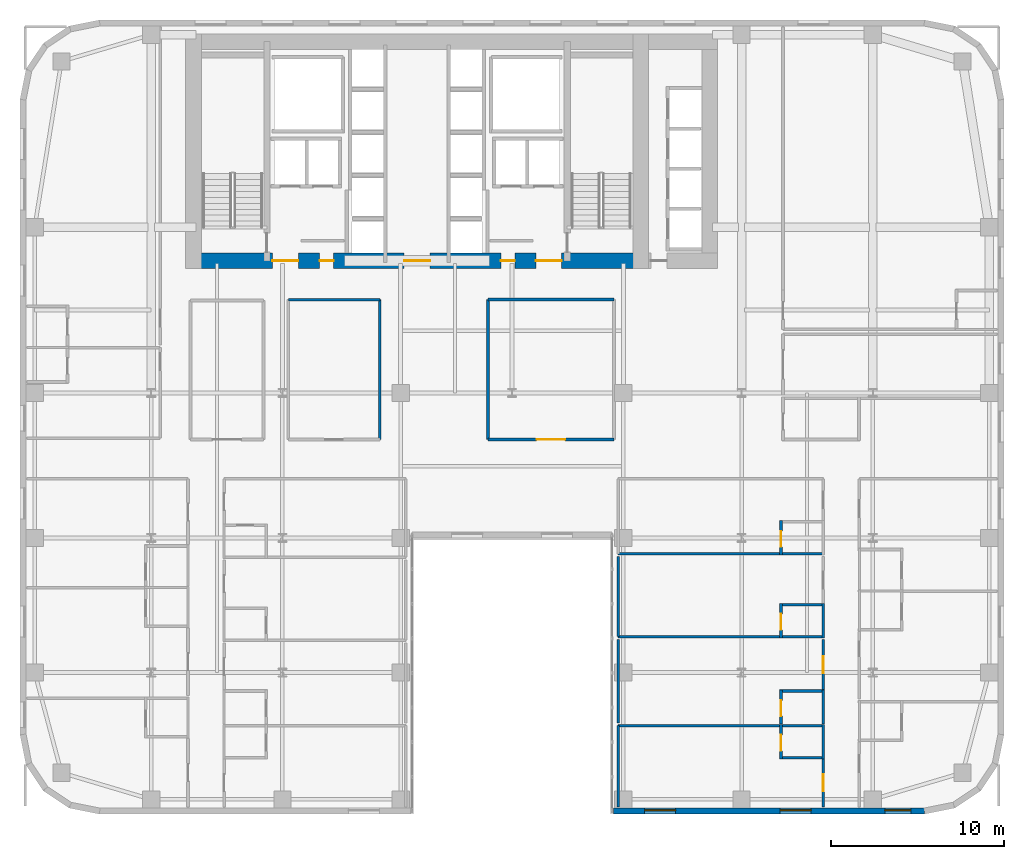
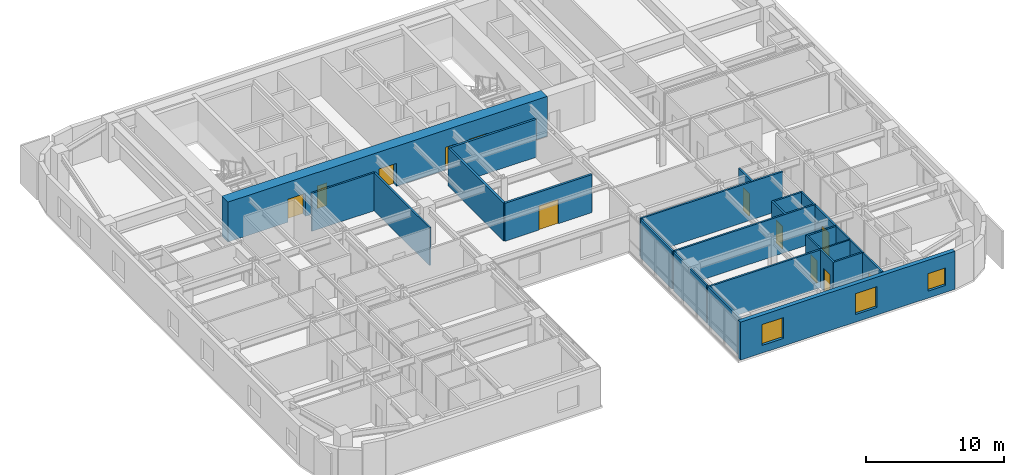
# One storey, part 12 of 17: 26 walls, 12 doors, 3 windows, 15 openings.
"""IFC4 building model written with IfcOpenShell, lengths in metres."""

from ifc_helpers import new_model, si_unit, direction, frame, frame_2d, origin, place, context, subcontext, project, spatial, rectangle, extrude, source, transform, mapped, material, layer, layer_set, type_object, type_shapes, element, fill, save


model = new_model("IFC4")

# Units and contexts
model_context = context("Model", 3, precision=1e-05, world=origin(), true_north=direction((0.0, 1.0)))
body_context = subcontext(model_context, "Body", "Model", "MODEL_VIEW")
ifc_project = project(units=[si_unit("LENGTHUNIT", "METRE"), si_unit("AREAUNIT", "SQUARE_METRE"), si_unit("VOLUMEUNIT", "CUBIC_METRE"), si_unit("PLANEANGLEUNIT", "RADIAN"), si_unit("MASSUNIT", "GRAM", prefix="KILO")], contexts=[model_context])

# Site, building, storey
site_placement = place(None, origin())
site = spatial("IfcSite", under=ifc_project, at=site_placement, CompositionType="ELEMENT")
building_placement = place(site_placement, origin())
building = spatial("IfcBuilding", under=site, at=building_placement, Name="Tolvann Quenvar Hotel", CompositionType="ELEMENT")
storey_placement = place(building_placement, frame((0.0, 0.0, 49.75)))
storey = spatial("IfcBuildingStorey", under=building, at=storey_placement, Name="L11", CompositionType="ELEMENT", Elevation=49.75)

# Wall, openings, doors
ifc_material_1 = material(Name="Concrete S80 (80 MPa)", Category="concrete")
ifc_layer_1 = layer(ifc_material_1, 0.89990234375)
ifc_layer_set_1 = layer_set([ifc_layer_1], Name="Concrete S80 (80 MPa)")
wall_type_1 = type_object("IfcWallType", Name="WALL_CORE_900", PredefinedType="SHEAR", material=ifc_layer_set_1)
wall_1_placement = place(storey_placement, frame((9.60009765625, 32.050048828125, 0.0), z_axis=(0.0, 0.0, 1.0), x_axis=(1.0, 0.0, 0.0)))
wall_1 = element("IfcWall", 1, at=wall_1_placement, inside=storey, type_object=wall_type_1, Name="Rear Core S Shear Wall (L11)", PredefinedType="SHEAR", context=body_context, shape_type="SweptSolid", body=[
    extrude(rectangle(XDim=26.7998046875, YDim=0.89990234375, at=frame_2d((13.39990234375, 0.0))), origin(), (0.0, 0.0, 1.0), 3.550048828125),
])
opening_1_placement = place(wall_1_placement, frame((6.52001953125, 0.0, 0.0), z_axis=(0.0, 0.0, 1.0), x_axis=(-1.0, 0.0, 0.0)))
opening_1 = element("IfcOpeningElement", 2, at=opening_1_placement, cuts=wall_1, Name="Opening FD-60D", PredefinedType="OPENING", context=body_context, shape_type="SweptSolid", body=[
    extrude(rectangle(XDim=1.5, YDim=2.0400390625, at=frame_2d((0.75, 1.02001953125))), frame((0.0, 0.4599609375, 0.0), z_axis=(0.0, -1.0, 0.0), x_axis=(1.0, 0.0, 0.0)), (0.0, 0.0, 1.0), 0.919921875),
])
opening_2_placement = place(wall_1_placement, frame((14.14990234375, 0.0, 0.0), z_axis=(0.0, 0.0, 1.0), x_axis=(-1.0, 0.0, 0.0)))
opening_2 = element("IfcOpeningElement", 3, at=opening_2_placement, cuts=wall_1, Name="Opening FD-60D", PredefinedType="OPENING", context=body_context, shape_type="SweptSolid", body=[
    extrude(rectangle(XDim=1.5, YDim=2.0400390625, at=frame_2d((0.75, 1.02001953125))), frame((0.0, 0.4599609375, 0.0), z_axis=(0.0, -1.0, 0.0), x_axis=(1.0, 0.0, 0.0)), (0.0, 0.0, 1.0), 0.919921875),
])
opening_3_placement = place(wall_1_placement, frame((21.780029296875, 0.0, 0.0), z_axis=(0.0, 0.0, 1.0), x_axis=(-1.0, 0.0, 0.0)))
opening_3 = element("IfcOpeningElement", 4, at=opening_3_placement, cuts=wall_1, Name="Opening FD-60D", PredefinedType="OPENING", context=body_context, shape_type="SweptSolid", body=[
    extrude(rectangle(XDim=1.5, YDim=2.0400390625, at=frame_2d((0.75, 1.02001953125))), frame((0.0, 0.4599609375, 0.0), z_axis=(0.0, -1.0, 0.0), x_axis=(1.0, 0.0, 0.0)), (0.0, 0.0, 1.0), 0.919921875),
])
opening_4_placement = place(wall_1_placement, frame((8.570068359375, 0.0, 0.0), z_axis=(0.0, 0.0, 1.0), x_axis=(-1.0, 0.0, 0.0)))
opening_4 = element("IfcOpeningElement", 5, at=opening_4_placement, cuts=wall_1, Name="Opening HD-02", PredefinedType="OPENING", context=body_context, shape_type="SweptSolid", body=[
    extrude(rectangle(XDim=0.820068359375, YDim=2.010009765625, at=frame_2d((0.41015625, 1.0048828125))), frame((0.0, 0.4599609375, 0.0), z_axis=(0.0, -1.0, 0.0), x_axis=(1.0, 0.0, 0.0)), (0.0, 0.0, 1.0), 0.919921875),
])
opening_5_placement = place(wall_1_placement, frame((19.070068359375, 0.0, 0.0), z_axis=(0.0, 0.0, 1.0), x_axis=(-1.0, 0.0, 0.0)))
opening_5 = element("IfcOpeningElement", 6, at=opening_5_placement, cuts=wall_1, Name="Opening HD-02", PredefinedType="OPENING", context=body_context, shape_type="SweptSolid", body=[
    extrude(rectangle(XDim=0.820068359375, YDim=2.010009765625, at=frame_2d((0.41015625, 1.0048828125))), frame((0.0, 0.4599609375, 0.0), z_axis=(0.0, -1.0, 0.0), x_axis=(1.0, 0.0, 0.0)), (0.0, 0.0, 1.0), 0.919921875),
])
ifc_material_2 = material(Name="Solid-core American oak acoustic fire door leaf in steel frame", Category="steel")
door_type_1 = type_object("IfcDoorType", Name="DOOR_FIRE_LOBBY_1500", OperationType="NOTDEFINED", PredefinedType="DOOR", material=ifc_material_2)
shared_shape_1 = source(origin(), body_context, "Body", "SweptSolid", [
    extrude(rectangle(XDim=1.5, YDim=2.0400390625, at=frame_2d((0.75, 1.02001953125))), frame((0.0, 0.02490234375, 0.0), z_axis=(0.0, -1.0, 0.0), x_axis=(1.0, 0.0, 0.0)), (0.0, 0.0, 1.0), 0.050048828125),
])
type_shapes(door_type_1, [shared_shape_1])
door_1_placement = place(opening_1_placement, origin())
door_1 = element("IfcDoor", 7, at=door_1_placement, inside=storey, type_object=door_type_1, Name="Core Lobby Fire Door FFW (L11)", OperationType="DOUBLE_DOOR_SINGLE_SWING", OverallHeight=2.0400390625, OverallWidth=1.5, PredefinedType="DOOR", context=body_context, shape_type="MappedRepresentation", body=[
    mapped(shared_shape_1, transform((0.0, 0.0, 0.0), x_axis=(1.0, 0.0, 0.0), y_axis=(0.0, 1.0, 0.0), z_axis=(0.0, 0.0, 1.0), scale=1.0)),
])
fill(opening_1, door_1)
door_2_placement = place(opening_2_placement, origin())
door_2 = element("IfcDoor", 8, at=door_2_placement, inside=storey, type_object=door_type_1, Name="Core Lobby Fire Door CLOB (L11)", OperationType="DOUBLE_DOOR_SINGLE_SWING", OverallHeight=2.0400390625, OverallWidth=1.5, PredefinedType="DOOR", context=body_context, shape_type="MappedRepresentation", body=[
    mapped(shared_shape_1, transform((0.0, 0.0, 0.0), x_axis=(1.0, 0.0, 0.0), y_axis=(0.0, 1.0, 0.0), z_axis=(0.0, 0.0, 1.0), scale=1.0)),
])
fill(opening_2, door_2)
door_3_placement = place(opening_3_placement, origin())
door_3 = element("IfcDoor", 9, at=door_3_placement, inside=storey, type_object=door_type_1, Name="Core Lobby Fire Door FFE (L11)", OperationType="DOUBLE_DOOR_SINGLE_SWING", OverallHeight=2.0400390625, OverallWidth=1.5, PredefinedType="DOOR", context=body_context, shape_type="MappedRepresentation", body=[
    mapped(shared_shape_1, transform((0.0, 0.0, 0.0), x_axis=(1.0, 0.0, 0.0), y_axis=(0.0, 1.0, 0.0), z_axis=(0.0, 0.0, 1.0), scale=1.0)),
])
fill(opening_3, door_3)
ifc_material_3 = material(Name="Pressed galvanised steel fire-rated door set", Category="steel")
door_type_2 = type_object("IfcDoorType", Name="DOOR_STORE_820", OperationType="NOTDEFINED", PredefinedType="DOOR", material=ifc_material_3)
shared_shape_2 = source(origin(), body_context, "Body", "SweptSolid", [
    extrude(rectangle(XDim=0.820068359375, YDim=2.010009765625, at=frame_2d((0.41015625, 1.0048828125))), frame((0.0, 0.02490234375, 0.0), z_axis=(0.0, -1.0, 0.0), x_axis=(1.0, 0.0, 0.0)), (0.0, 0.0, 1.0), 0.050048828125),
])
type_shapes(door_type_2, [shared_shape_2])
door_4_placement = place(opening_4_placement, origin())
door_4 = element("IfcDoor", 10, at=door_4_placement, inside=storey, type_object=door_type_2, Name="Core Linen Store Fire Door (L11)", OperationType="SINGLE_SWING_LEFT", OverallHeight=2.010009765625, OverallWidth=0.820068359375, PredefinedType="DOOR", context=body_context, shape_type="MappedRepresentation", body=[
    mapped(shared_shape_2, transform((0.0, 0.0, 0.0), x_axis=(1.0, 0.0, 0.0), y_axis=(0.0, 1.0, 0.0), z_axis=(0.0, 0.0, 1.0), scale=1.0)),
])
fill(opening_4, door_4)
door_5_placement = place(opening_5_placement, origin())
door_5 = element("IfcDoor", 11, at=door_5_placement, inside=storey, type_object=door_type_2, Name="Core Comms Closet Fire Door (L11)", OperationType="SINGLE_SWING_RIGHT", OverallHeight=2.010009765625, OverallWidth=0.820068359375, PredefinedType="DOOR", context=body_context, shape_type="MappedRepresentation", body=[
    mapped(shared_shape_2, transform((0.0, 0.0, 0.0), x_axis=(1.0, 0.0, 0.0), y_axis=(0.0, 1.0, 0.0), z_axis=(0.0, 0.0, 1.0), scale=1.0)),
])
fill(opening_5, door_5)

# Wall, openings, windows
ifc_material_4 = material(Name="Kiln-fired red and buff architectural clay brickwork and terracotta masonry", Category="masonry")
ifc_layer_2 = layer(ifc_material_4, 0.35009765625)
ifc_layer_set_2 = layer_set([ifc_layer_2], Name="Kiln-fired red and buff architectural clay brickwork and terracotta masonry")
wall_type_2 = type_object("IfcWallType", Name="WALL_EXT_BRICK_350", PredefinedType="SOLIDWALL", material=ifc_layer_set_2)
wall_2_placement = place(storey_placement, frame((34.375, 0.175048828125, 0.0), z_axis=(0.0, 0.0, 1.0), x_axis=(1.0, 0.0, 0.0)))
wall_2 = element("IfcWall", 12, at=wall_2_placement, inside=storey, type_object=wall_type_2, Name="Exterior Chicago Brick Wall L11-E08", PredefinedType="SOLIDWALL", context=body_context, shape_type="SweptSolid", body=[
    extrude(rectangle(XDim=18.0078125, YDim=0.35009765625, at=frame_2d((9.00390625, 0.0))), origin(), (0.0, 0.0, 1.0), 3.3701171875),
])
opening_6_placement = place(wall_2_placement, frame((1.801025390625, 0.0, 0.679931640625)))
opening_6 = element("IfcOpeningElement", 13, at=opening_6_placement, cuts=wall_2, Name="Opening W-03", PredefinedType="OPENING", context=body_context, shape_type="SweptSolid", body=[
    extrude(rectangle(XDim=1.800048828125, YDim=1.85009765625, at=frame_2d((0.89990234375, 0.925048828125))), frame((0.0, 0.18505859375, 0.0), z_axis=(0.0, -1.0, 0.0), x_axis=(1.0, 0.0, 0.0)), (0.0, 0.0, 1.0), 0.3701171875),
])
opening_7_placement = place(wall_2_placement, frame((9.655029296875, 0.0, 0.679931640625)))
opening_7 = element("IfcOpeningElement", 14, at=opening_7_placement, cuts=wall_2, Name="Opening W-03", PredefinedType="OPENING", context=body_context, shape_type="SweptSolid", body=[
    extrude(rectangle(XDim=1.800048828125, YDim=1.85009765625, at=frame_2d((0.89990234375, 0.925048828125))), frame((0.0, 0.18505859375, 0.0), z_axis=(0.0, -1.0, 0.0), x_axis=(1.0, 0.0, 0.0)), (0.0, 0.0, 1.0), 0.3701171875),
])
opening_8_placement = place(wall_2_placement, frame((15.72509765625, 0.0, 0.6201171875)))
opening_8 = element("IfcOpeningElement", 15, at=opening_8_placement, cuts=wall_2, Name="Opening W-08", PredefinedType="OPENING", context=body_context, shape_type="SweptSolid", body=[
    extrude(rectangle(XDim=1.5, YDim=1.550048828125, at=frame_2d((0.75, 0.77490234375))), frame((0.0, 0.18505859375, 0.0), z_axis=(0.0, -1.0, 0.0), x_axis=(1.0, 0.0, 0.0)), (0.0, 0.0, 1.0), 0.3701171875),
])
ifc_material_5 = material(Name="Thermally broken bronze-anodised aluminium frame with double low-E glazing", Category="aluminium")
window_type_1 = type_object("IfcWindowType", Name="WIN_COR_1500x2050", PartitioningType="SINGLE_PANEL", PredefinedType="WINDOW", material=ifc_material_5)
shared_shape_3 = source(origin(), body_context, "Body", "SweptSolid", [
    extrude(rectangle(XDim=1.5, YDim=1.550048828125, at=frame_2d((0.75, 0.77490234375))), frame((0.0, 0.090087890625, 0.0), z_axis=(0.0, -1.0, 0.0), x_axis=(1.0, 0.0, 0.0)), (0.0, 0.0, 1.0), 0.06005859375),
])
type_shapes(window_type_1, [shared_shape_3])
window_1_placement = place(opening_8_placement, origin())
window_1 = element("IfcWindow", 16, at=window_1_placement, inside=storey, type_object=window_type_1, Name="Chicago Window W-08 (EW-L11-E08-WD03)", OverallHeight=1.550048828125, OverallWidth=1.5, PartitioningType="SINGLE_PANEL", PredefinedType="WINDOW", context=body_context, shape_type="MappedRepresentation", body=[
    mapped(shared_shape_3, transform((0.0, 0.0, 0.0), x_axis=(1.0, 0.0, 0.0), y_axis=(0.0, 1.0, 0.0), z_axis=(0.0, 0.0, 1.0), scale=1.0)),
])
fill(opening_8, window_1)
window_type_2 = type_object("IfcWindowType", Name="WIN_CHI_1800x2050", PartitioningType="TRIPLE_PANEL_HORIZONTAL", PredefinedType="WINDOW", material=ifc_material_5)
shared_shape_4 = source(origin(), body_context, "Body", "SweptSolid", [
    extrude(rectangle(XDim=1.800048828125, YDim=1.85009765625, at=frame_2d((0.89990234375, 0.925048828125))), frame((0.0, 0.090087890625, 0.0), z_axis=(0.0, -1.0, 0.0), x_axis=(1.0, 0.0, 0.0)), (0.0, 0.0, 1.0), 0.06005859375),
])
type_shapes(window_type_2, [shared_shape_4])
window_2_placement = place(opening_6_placement, origin())
window_2 = element("IfcWindow", 17, at=window_2_placement, inside=storey, type_object=window_type_2, Name="Chicago Window W-03 (EW-L11-E08-W01)", OverallHeight=1.85009765625, OverallWidth=1.800048828125, PartitioningType="TRIPLE_PANEL_HORIZONTAL", PredefinedType="WINDOW", context=body_context, shape_type="MappedRepresentation", body=[
    mapped(shared_shape_4, transform((0.0, 0.0, 0.0), x_axis=(1.0, 0.0, 0.0), y_axis=(0.0, 1.0, 0.0), z_axis=(0.0, 0.0, 1.0), scale=1.0)),
])
fill(opening_6, window_2)
window_3_placement = place(opening_7_placement, origin())
window_3 = element("IfcWindow", 18, at=window_3_placement, inside=storey, type_object=window_type_2, Name="Chicago Window W-03 (EW-L11-E08-W02)", OverallHeight=1.85009765625, OverallWidth=1.800048828125, PartitioningType="TRIPLE_PANEL_HORIZONTAL", PredefinedType="WINDOW", context=body_context, shape_type="MappedRepresentation", body=[
    mapped(shared_shape_4, transform((0.0, 0.0, 0.0), x_axis=(1.0, 0.0, 0.0), y_axis=(0.0, 1.0, 0.0), z_axis=(0.0, 0.0, 1.0), scale=1.0)),
])
fill(opening_7, window_3)

# Wall, opening, door
ifc_material_6 = material(Name="Acoustic twin-stud fire-rated gypsum plasterboard partition")
ifc_layer_3 = layer(ifc_material_6, 0.179931640625)
ifc_layer_set_3 = layer_set([ifc_layer_3], Name="Acoustic twin-stud fire-rated gypsum plasterboard partition")
wall_type_3 = type_object("IfcWallType", Name="WALL_PART_ACOUSTIC_180", PredefinedType="PARTITIONING", material=ifc_layer_set_3)
wall_3_placement = place(storey_placement, frame((27.10009765625, 21.699951171875, 0.0), z_axis=(0.0, 0.0, 1.0), x_axis=(1.0, 0.0, 0.0)))
wall_3 = element("IfcWall", 19, at=wall_3_placement, inside=storey, type_object=wall_type_3, Name="Interior Partition PT-SPC-L11-MSP-C-S", PredefinedType="PARTITIONING", context=body_context, shape_type="SweptSolid", body=[
    extrude(rectangle(XDim=7.2998046875, YDim=0.179931640625, at=frame_2d((3.64990234375, 0.0))), origin(), (0.0, 0.0, 1.0), 3.3701171875),
])
opening_9_placement = place(wall_3_placement, frame((2.824951171875, 0.0, 0.0)))
opening_9 = element("IfcOpeningElement", 20, at=opening_9_placement, cuts=wall_3, Name="Opening AD-01", PredefinedType="OPENING", context=body_context, shape_type="SweptSolid", body=[
    extrude(rectangle(XDim=1.64990234375, YDim=2.14990234375, at=frame_2d((0.824951171875, 1.074951171875))), frame((0.0, 0.10009765625, 0.0), z_axis=(0.0, -1.0, 0.0), x_axis=(1.0, 0.0, 0.0)), (0.0, 0.0, 1.0), 0.199951171875),
])
door_type_3 = type_object("IfcDoorType", Name="DOOR_SALON_1650", OperationType="NOTDEFINED", PredefinedType="DOOR", material=ifc_material_2)
shared_shape_5 = source(origin(), body_context, "Body", "SweptSolid", [
    extrude(rectangle(XDim=1.64990234375, YDim=2.14990234375, at=frame_2d((0.824951171875, 1.074951171875))), frame((0.0, 0.02490234375, 0.0), z_axis=(0.0, -1.0, 0.0), x_axis=(1.0, 0.0, 0.0)), (0.0, 0.0, 1.0), 0.050048828125),
])
type_shapes(door_type_3, [shared_shape_5])
door_6_placement = place(opening_9_placement, origin())
door_6 = element("IfcDoor", 21, at=door_6_placement, inside=storey, type_object=door_type_3, Name="Interior Door DOOR-SPC-L11-MSP-C", OperationType="DOUBLE_DOOR_SINGLE_SWING", OverallHeight=2.14990234375, OverallWidth=1.64990234375, PredefinedType="DOOR", context=body_context, shape_type="MappedRepresentation", body=[
    mapped(shared_shape_5, transform((0.0, 0.0, 0.0), x_axis=(1.0, 0.0, 0.0), y_axis=(0.0, 1.0, 0.0), z_axis=(0.0, 0.0, 1.0), scale=1.0)),
])
fill(opening_9, door_6)

# Walls
wall_4_placement = place(storey_placement, frame((27.10009765625, 29.800048828125, 0.0), z_axis=(0.0, 0.0, 1.0), x_axis=(1.0, 0.0, 0.0)))
element("IfcWall", 22, at=wall_4_placement, inside=storey, type_object=wall_type_3, Name="Interior Partition PT-SPC-L11-MSP-C-N", PredefinedType="PARTITIONING", context=body_context, shape_type="SweptSolid", body=[
    extrude(rectangle(XDim=7.2998046875, YDim=0.179931640625, at=frame_2d((3.64990234375, 0.0))), origin(), (0.0, 0.0, 1.0), 3.3701171875),
])
wall_5_placement = place(storey_placement, frame((27.10009765625, 21.699951171875, 0.0), z_axis=(0.0, 0.0, 1.0), x_axis=(0.0, 1.0, 0.0)))
element("IfcWall", 23, at=wall_5_placement, inside=storey, type_object=wall_type_3, Name="Interior Partition PT-SPC-L11-MSP-C-W", PredefinedType="PARTITIONING", context=body_context, shape_type="SweptSolid", body=[
    extrude(rectangle(XDim=8.10009765625, YDim=0.179931640625, at=frame_2d((4.050048828125, 0.0))), origin(), (0.0, 0.0, 1.0), 3.3701171875),
])
ifc_material_7 = material(Name="Moisture-resistant acoustic plumbing wall assembly")
ifc_layer_4 = layer(ifc_material_7, 0.1201171875)
ifc_layer_set_4 = layer_set([ifc_layer_4], Name="Moisture-resistant acoustic plumbing wall assembly")
wall_type_4 = type_object("IfcWallType", Name="WALL_PART_BATH_120", PredefinedType="PLUMBINGWALL", material=ifc_layer_set_4)
wall_6_placement = place(storey_placement, frame((44.010009765625, 5.1201171875, 0.0), z_axis=(0.0, 0.0, 1.0), x_axis=(1.0, 0.0, 0.0)))
element("IfcWall", 24, at=wall_6_placement, inside=storey, type_object=wall_type_4, Name="Non-Rated Plumbing Partition PT-SPC-L11-ENS-EI01-N", PredefinedType="PLUMBINGWALL", context=body_context, shape_type="SweptSolid", body=[
    extrude(rectangle(XDim=2.590087890625, YDim=0.1201171875, at=frame_2d((1.294921875, 0.0))), origin(), (0.0, 0.0, 1.0), 3.3701171875),
])
for number, where, z_axis, x_axis, name in (
    (25, (46.530029296875, 3.199951171875, 0.0), (0.0, 0.0, 1.0), (0.0, 1.0, 0.0), "Non-Rated Plumbing Partition PT-SPC-L11-ENS-EI01-E"),
    (26, (46.530029296875, 5.2099609375, 0.0), (0.0, 0.0, 1.0), (0.0, 1.0, 0.0), "Non-Rated Plumbing Partition PT-SPC-L11-ENS-EI02-E"),
    (27, (46.530029296875, 10.2099609375, 0.0), (0.0, 0.0, 1.0), (0.0, 1.0, 0.0), "Non-Rated Plumbing Partition PT-SPC-L11-ENS-EI03-E"),
):
    element("IfcWall", number, at=place(storey_placement, frame(where, z_axis=z_axis, x_axis=x_axis)), inside=storey, type_object=wall_type_4, Name=name, PredefinedType="PLUMBINGWALL", context=body_context, shape_type="SweptSolid", body=[
        extrude(rectangle(XDim=1.989990234375, YDim=0.1201171875, at=frame_2d((0.9951171875, 0.0))), origin(), (0.0, 0.0, 1.0), 3.3701171875),
    ])

# Wall, opening, door
ifc_layer_5 = layer(ifc_material_6, 0.14990234375)
ifc_layer_set_5 = layer_set([ifc_layer_5], Name="Acoustic twin-stud fire-rated gypsum plasterboard partition")
wall_type_5 = type_object("IfcWallType", Name="WALL_PART_SUITE_150", PredefinedType="PARTITIONING", material=ifc_layer_set_5)
wall_7_placement = place(storey_placement, frame((44.080078125, 3.199951171875, 0.0), z_axis=(0.0, 0.0, 1.0), x_axis=(0.0, 1.0, 0.0)))
wall_7 = element("IfcWall", 28, at=wall_7_placement, inside=storey, type_object=wall_type_5, Name="Interior Partition PT-SPC-L11-ENS-EI01-ENT", PredefinedType="PARTITIONING", context=body_context, shape_type="SweptSolid", body=[
    extrude(rectangle(XDim=1.989990234375, YDim=0.14990234375, at=frame_2d((0.9951171875, 0.0))), origin(), (0.0, 0.0, 1.0), 3.3701171875),
])
opening_10_placement = place(wall_7_placement, frame((0.465087890625, 0.0, 0.0)))
opening_10 = element("IfcOpeningElement", 29, at=opening_10_placement, cuts=wall_7, Name="Opening WD-01", PredefinedType="OPENING", context=body_context, shape_type="SweptSolid", body=[
    extrude(rectangle(XDim=0.919921875, YDim=2.010009765625, at=frame_2d((0.4599609375, 1.0048828125))), frame((0.0, 0.0849609375, 0.0), z_axis=(0.0, -1.0, 0.0), x_axis=(1.0, 0.0, 0.0)), (0.0, 0.0, 1.0), 0.169921875),
])
door_type_4 = type_object("IfcDoorType", Name="DOOR_WC_920", OperationType="NOTDEFINED", PredefinedType="DOOR", material=ifc_material_2)
shared_shape_6 = source(origin(), body_context, "Body", "SweptSolid", [
    extrude(rectangle(XDim=0.919921875, YDim=2.010009765625, at=frame_2d((0.4599609375, 1.0048828125))), frame((0.0, 0.02490234375, 0.0), z_axis=(0.0, -1.0, 0.0), x_axis=(1.0, 0.0, 0.0)), (0.0, 0.0, 1.0), 0.050048828125),
])
type_shapes(door_type_4, [shared_shape_6])
door_7_placement = place(opening_10_placement, origin())
door_7 = element("IfcDoor", 30, at=door_7_placement, inside=storey, type_object=door_type_4, Name="Interior Door DOOR-SPC-L11-ENS-EI01", OperationType="SINGLE_SWING_LEFT", OverallHeight=2.010009765625, OverallWidth=0.919921875, PredefinedType="DOOR", context=body_context, shape_type="MappedRepresentation", body=[
    mapped(shared_shape_6, transform((0.0, 0.0, 0.0), x_axis=(1.0, 0.0, 0.0), y_axis=(0.0, 1.0, 0.0), z_axis=(0.0, 0.0, 1.0), scale=1.0)),
])
fill(opening_10, door_7)

# Wall
wall_8_placement = place(storey_placement, frame((44.010009765625, 3.27001953125, 0.0), z_axis=(0.0, 0.0, 1.0), x_axis=(1.0, 0.0, 0.0)))
element("IfcWall", 31, at=wall_8_placement, inside=storey, type_object=wall_type_5, Name="Interior Partition PT-SPC-L11-ENS-EI01-S", PredefinedType="PARTITIONING", context=body_context, shape_type="SweptSolid", body=[
    extrude(rectangle(XDim=2.590087890625, YDim=0.14990234375, at=frame_2d((1.294921875, 0.0))), origin(), (0.0, 0.0, 1.0), 3.3701171875),
])

# Wall, opening, door
wall_9_placement = place(storey_placement, frame((44.080078125, 5.2099609375, 0.0), z_axis=(0.0, 0.0, 1.0), x_axis=(0.0, 1.0, 0.0)))
wall_9 = element("IfcWall", 32, at=wall_9_placement, inside=storey, type_object=wall_type_5, Name="Interior Partition PT-SPC-L11-ENS-EI02-ENT", PredefinedType="PARTITIONING", context=body_context, shape_type="SweptSolid", body=[
    extrude(rectangle(XDim=1.989990234375, YDim=0.14990234375, at=frame_2d((0.9951171875, 0.0))), origin(), (0.0, 0.0, 1.0), 3.3701171875),
])
opening_11_placement = place(wall_9_placement, frame((0.465087890625, 0.0, 0.0)))
opening_11 = element("IfcOpeningElement", 33, at=opening_11_placement, cuts=wall_9, Name="Opening WD-01", PredefinedType="OPENING", context=body_context, shape_type="SweptSolid", body=[
    extrude(rectangle(XDim=0.919921875, YDim=2.010009765625, at=frame_2d((0.4599609375, 1.0048828125))), frame((0.0, 0.0849609375, 0.0), z_axis=(0.0, -1.0, 0.0), x_axis=(1.0, 0.0, 0.0)), (0.0, 0.0, 1.0), 0.169921875),
])
door_8_placement = place(opening_11_placement, origin())
door_8 = element("IfcDoor", 34, at=door_8_placement, inside=storey, type_object=door_type_4, Name="Interior Door DOOR-SPC-L11-ENS-EI02", OperationType="SINGLE_SWING_RIGHT", OverallHeight=2.010009765625, OverallWidth=0.919921875, PredefinedType="DOOR", context=body_context, shape_type="MappedRepresentation", body=[
    mapped(shared_shape_6, transform((0.0, 0.0, 0.0), x_axis=(1.0, 0.0, 0.0), y_axis=(0.0, 1.0, 0.0), z_axis=(0.0, 0.0, 1.0), scale=1.0)),
])
fill(opening_11, door_8)

# Wall
wall_10_placement = place(storey_placement, frame((44.010009765625, 7.1298828125, 0.0), z_axis=(0.0, 0.0, 1.0), x_axis=(1.0, 0.0, 0.0)))
element("IfcWall", 35, at=wall_10_placement, inside=storey, type_object=wall_type_5, Name="Interior Partition PT-SPC-L11-ENS-EI02-N", PredefinedType="PARTITIONING", context=body_context, shape_type="SweptSolid", body=[
    extrude(rectangle(XDim=2.590087890625, YDim=0.14990234375, at=frame_2d((1.294921875, 0.0))), origin(), (0.0, 0.0, 1.0), 3.3701171875),
])

# Wall, opening, door
wall_11_placement = place(storey_placement, frame((44.080078125, 10.2099609375, 0.0), z_axis=(0.0, 0.0, 1.0), x_axis=(0.0, 1.0, 0.0)))
wall_11 = element("IfcWall", 36, at=wall_11_placement, inside=storey, type_object=wall_type_5, Name="Interior Partition PT-SPC-L11-ENS-EI03-ENT", PredefinedType="PARTITIONING", context=body_context, shape_type="SweptSolid", body=[
    extrude(rectangle(XDim=1.989990234375, YDim=0.14990234375, at=frame_2d((0.9951171875, 0.0))), origin(), (0.0, 0.0, 1.0), 3.3701171875),
])
opening_12_placement = place(wall_11_placement, frame((0.465087890625, 0.0, 0.0)))
opening_12 = element("IfcOpeningElement", 37, at=opening_12_placement, cuts=wall_11, Name="Opening WD-01", PredefinedType="OPENING", context=body_context, shape_type="SweptSolid", body=[
    extrude(rectangle(XDim=0.919921875, YDim=2.010009765625, at=frame_2d((0.4599609375, 1.0048828125))), frame((0.0, 0.0849609375, 0.0), z_axis=(0.0, -1.0, 0.0), x_axis=(1.0, 0.0, 0.0)), (0.0, 0.0, 1.0), 0.169921875),
])
door_9_placement = place(opening_12_placement, origin())
door_9 = element("IfcDoor", 38, at=door_9_placement, inside=storey, type_object=door_type_4, Name="Interior Door DOOR-SPC-L11-ENS-EI03", OperationType="SINGLE_SWING_LEFT", OverallHeight=2.010009765625, OverallWidth=0.919921875, PredefinedType="DOOR", context=body_context, shape_type="MappedRepresentation", body=[
    mapped(shared_shape_6, transform((0.0, 0.0, 0.0), x_axis=(1.0, 0.0, 0.0), y_axis=(0.0, 1.0, 0.0), z_axis=(0.0, 0.0, 1.0), scale=1.0)),
])
fill(opening_12, door_9)

# Walls
wall_12_placement = place(storey_placement, frame((34.64990234375, 10.280029296875, 0.0), z_axis=(0.0, 0.0, 1.0), x_axis=(1.0, 0.0, 0.0)))
element("IfcWall", 39, at=wall_12_placement, inside=storey, type_object=wall_type_5, Name="Interior Partition PT-SPC-L11-ENS-EI03-S", PredefinedType="PARTITIONING", context=body_context, shape_type="SweptSolid", body=[
    extrude(rectangle(XDim=11.9501953125, YDim=0.14990234375, at=frame_2d((5.97509765625, 0.0))), origin(), (0.0, 0.0, 1.0), 3.3701171875),
])
wall_13_placement = place(storey_placement, frame((44.010009765625, 12.1298828125, 0.0), z_axis=(0.0, 0.0, 1.0), x_axis=(1.0, 0.0, 0.0)))
element("IfcWall", 40, at=wall_13_placement, inside=storey, type_object=wall_type_5, Name="Interior Partition PT-SPC-L11-ENS-EI03-N", PredefinedType="PARTITIONING", context=body_context, shape_type="SweptSolid", body=[
    extrude(rectangle(XDim=2.590087890625, YDim=0.14990234375, at=frame_2d((1.294921875, 0.0))), origin(), (0.0, 0.0, 1.0), 3.3701171875),
])

# Wall, opening, door
wall_14_placement = place(storey_placement, frame((44.080078125, 15.010009765625, 0.0), z_axis=(0.0, 0.0, 1.0), x_axis=(0.0, 1.0, 0.0)))
wall_14 = element("IfcWall", 41, at=wall_14_placement, inside=storey, type_object=wall_type_5, Name="Interior Partition PT-SPC-L11-ENS-EI04-ENT", PredefinedType="PARTITIONING", context=body_context, shape_type="SweptSolid", body=[
    extrude(rectangle(XDim=1.989990234375, YDim=0.14990234375, at=frame_2d((0.9951171875, 0.0))), origin(), (0.0, 0.0, 1.0), 3.3701171875),
])
opening_13_placement = place(wall_14_placement, frame((0.465087890625, 0.0, 0.0)))
opening_13 = element("IfcOpeningElement", 42, at=opening_13_placement, cuts=wall_14, Name="Opening WD-01", PredefinedType="OPENING", context=body_context, shape_type="SweptSolid", body=[
    extrude(rectangle(XDim=0.919921875, YDim=2.010009765625, at=frame_2d((0.4599609375, 1.0048828125))), frame((0.0, 0.0849609375, 0.0), z_axis=(0.0, -1.0, 0.0), x_axis=(1.0, 0.0, 0.0)), (0.0, 0.0, 1.0), 0.169921875),
])
door_10_placement = place(opening_13_placement, origin())
door_10 = element("IfcDoor", 43, at=door_10_placement, inside=storey, type_object=door_type_4, Name="Interior Door DOOR-SPC-L11-ENS-EI04", OperationType="SINGLE_SWING_RIGHT", OverallHeight=2.010009765625, OverallWidth=0.919921875, PredefinedType="DOOR", context=body_context, shape_type="MappedRepresentation", body=[
    mapped(shared_shape_6, transform((0.0, 0.0, 0.0), x_axis=(1.0, 0.0, 0.0), y_axis=(0.0, 1.0, 0.0), z_axis=(0.0, 0.0, 1.0), scale=1.0)),
])
fill(opening_13, door_10)

# Wall
wall_15_placement = place(storey_placement, frame((34.64990234375, 15.080078125, 0.0), z_axis=(0.0, 0.0, 1.0), x_axis=(1.0, 0.0, 0.0)))
element("IfcWall", 44, at=wall_15_placement, inside=storey, type_object=wall_type_5, Name="Interior Partition PT-SPC-L11-ENS-EI04-S", PredefinedType="PARTITIONING", context=body_context, shape_type="SweptSolid", body=[
    extrude(rectangle(XDim=11.9501953125, YDim=0.14990234375, at=frame_2d((5.97509765625, 0.0))), origin(), (0.0, 0.0, 1.0), 3.3701171875),
])

# Wall, opening, door
wall_16_placement = place(storey_placement, frame((46.530029296875, 0.405029296875, 0.0), z_axis=(0.0, 0.0, 1.0), x_axis=(0.0, 1.0, 0.0)))
wall_16 = element("IfcWall", 45, at=wall_16_placement, inside=storey, type_object=wall_type_5, Name="Interior Partition PT-SPC-L11-RM-EI01-ENT", PredefinedType="PARTITIONING", context=body_context, shape_type="SweptSolid", body=[
    extrude(rectangle(XDim=2.784912109375, YDim=0.14990234375, at=frame_2d((1.392578125, 0.0))), origin(), (0.0, 0.0, 1.0), 3.3701171875),
])
opening_14_placement = place(wall_16_placement, frame((0.909912109375, 0.0, 0.0)))
opening_14 = element("IfcOpeningElement", 46, at=opening_14_placement, cuts=wall_16, Name="Opening SD-01", PredefinedType="OPENING", context=body_context, shape_type="SweptSolid", body=[
    extrude(rectangle(XDim=0.97998046875, YDim=2.1201171875, at=frame_2d((0.489990234375, 1.06005859375))), frame((0.0, 0.0849609375, 0.0), z_axis=(0.0, -1.0, 0.0), x_axis=(1.0, 0.0, 0.0)), (0.0, 0.0, 1.0), 0.169921875),
])
door_type_5 = type_object("IfcDoorType", Name="DOOR_SUITE_980", OperationType="NOTDEFINED", PredefinedType="DOOR", material=ifc_material_2)
shared_shape_7 = source(origin(), body_context, "Body", "SweptSolid", [
    extrude(rectangle(XDim=0.97998046875, YDim=2.1201171875, at=frame_2d((0.489990234375, 1.06005859375))), frame((0.0, 0.02490234375, 0.0), z_axis=(0.0, -1.0, 0.0), x_axis=(1.0, 0.0, 0.0)), (0.0, 0.0, 1.0), 0.050048828125),
])
type_shapes(door_type_5, [shared_shape_7])
door_11_placement = place(opening_14_placement, origin())
door_11 = element("IfcDoor", 47, at=door_11_placement, inside=storey, type_object=door_type_5, Name="Interior Door DOOR-SPC-L11-RM-EI01", OperationType="SINGLE_SWING_RIGHT", OverallHeight=2.1201171875, OverallWidth=0.97998046875, PredefinedType="DOOR", context=body_context, shape_type="MappedRepresentation", body=[
    mapped(shared_shape_7, transform((0.0, 0.0, 0.0), x_axis=(1.0, 0.0, 0.0), y_axis=(0.0, 1.0, 0.0), z_axis=(0.0, 0.0, 1.0), scale=1.0)),
])
fill(opening_14, door_11)

# Walls
wall_17_placement = place(storey_placement, frame((34.64990234375, 5.1201171875, 0.0), z_axis=(0.0, 0.0, 1.0), x_axis=(1.0, 0.0, 0.0)))
element("IfcWall", 48, at=wall_17_placement, inside=storey, type_object=wall_type_5, Name="Interior Partition PT-SPC-L11-RM-EI01-E5", PredefinedType="PARTITIONING", context=body_context, shape_type="SweptSolid", body=[
    extrude(rectangle(XDim=9.41015625, YDim=0.14990234375, at=frame_2d((4.705078125, 0.0))), origin(), (0.0, 0.0, 1.0), 3.3701171875),
])
wall_18_placement = place(storey_placement, frame((34.64990234375, 0.405029296875, 0.0), z_axis=(0.0, 0.0, 1.0), x_axis=(0.0, 1.0, 0.0)))
element("IfcWall", 49, at=wall_18_placement, inside=storey, type_object=wall_type_5, Name="Interior Partition PT-SPC-L11-RM-EI01-E6", PredefinedType="PARTITIONING", context=body_context, shape_type="SweptSolid", body=[
    extrude(rectangle(XDim=4.715087890625, YDim=0.14990234375, at=frame_2d((2.357421875, 0.0))), origin(), (0.0, 0.0, 1.0), 3.3701171875),
])

# Wall, opening, door
wall_19_placement = place(storey_placement, frame((46.530029296875, 7.2099609375, 0.0), z_axis=(0.0, 0.0, 1.0), x_axis=(0.0, 1.0, 0.0)))
wall_19 = element("IfcWall", 50, at=wall_19_placement, inside=storey, type_object=wall_type_5, Name="Interior Partition PT-SPC-L11-RM-EI02-ENT", PredefinedType="PARTITIONING", context=body_context, shape_type="SweptSolid", body=[
    extrude(rectangle(XDim=2.91015625, YDim=0.14990234375, at=frame_2d((1.455078125, 0.0))), origin(), (0.0, 0.0, 1.0), 3.3701171875),
])
opening_15_placement = place(wall_19_placement, frame((0.945068359375, 0.0, 0.0)))
opening_15 = element("IfcOpeningElement", 51, at=opening_15_placement, cuts=wall_19, Name="Opening SD-01", PredefinedType="OPENING", context=body_context, shape_type="SweptSolid", body=[
    extrude(rectangle(XDim=0.97998046875, YDim=2.1201171875, at=frame_2d((0.489990234375, 1.06005859375))), frame((0.0, 0.0849609375, 0.0), z_axis=(0.0, -1.0, 0.0), x_axis=(1.0, 0.0, 0.0)), (0.0, 0.0, 1.0), 0.169921875),
])
door_12_placement = place(opening_15_placement, origin())
door_12 = element("IfcDoor", 52, at=door_12_placement, inside=storey, type_object=door_type_5, Name="Interior Door DOOR-SPC-L11-RM-EI02", OperationType="SINGLE_SWING_LEFT", OverallHeight=2.1201171875, OverallWidth=0.97998046875, PredefinedType="DOOR", context=body_context, shape_type="MappedRepresentation", body=[
    mapped(shared_shape_7, transform((0.0, 0.0, 0.0), x_axis=(1.0, 0.0, 0.0), y_axis=(0.0, 1.0, 0.0), z_axis=(0.0, 0.0, 1.0), scale=1.0)),
])
fill(opening_15, door_12)

# Walls
wall_20_placement = place(storey_placement, frame((34.64990234375, 5.280029296875, 0.0), z_axis=(0.0, 0.0, 1.0), x_axis=(0.0, 1.0, 0.0)))
element("IfcWall", 53, at=wall_20_placement, inside=storey, type_object=wall_type_5, Name="Interior Partition PT-SPC-L11-RM-EI02-E6", PredefinedType="PARTITIONING", context=body_context, shape_type="SweptSolid", body=[
    extrude(rectangle(XDim=4.840087890625, YDim=0.14990234375, at=frame_2d((2.419921875, 0.0))), origin(), (0.0, 0.0, 1.0), 3.3701171875),
])
wall_21_placement = place(storey_placement, frame((34.64990234375, 10.280029296875, 0.0), z_axis=(0.0, 0.0, 1.0), x_axis=(0.0, 1.0, 0.0)))
element("IfcWall", 54, at=wall_21_placement, inside=storey, type_object=wall_type_5, Name="Interior Partition PT-SPC-L11-RM-EI03-E6", PredefinedType="PARTITIONING", context=body_context, shape_type="SweptSolid", body=[
    extrude(rectangle(XDim=4.639892578125, YDim=0.14990234375, at=frame_2d((2.31982421875, 0.0))), origin(), (0.0, 0.0, 1.0), 3.3701171875),
])
wall_22_placement = place(storey_placement, frame((15.550048828125, 29.800048828125, 0.0), z_axis=(0.0, 0.0, 1.0), x_axis=(1.0, 0.0, 0.0)))
element("IfcWall", 55, at=wall_22_placement, inside=storey, type_object=wall_type_5, Name="Interior Partition PT-SPC-L11-MSP-N-N", PredefinedType="PARTITIONING", context=body_context, shape_type="SweptSolid", body=[
    extrude(rectangle(XDim=5.300048828125, YDim=0.14990234375, at=frame_2d((2.64990234375, 0.0))), origin(), (0.0, 0.0, 1.0), 3.3701171875),
])
wall_23_placement = place(storey_placement, frame((20.85009765625, 21.699951171875, 0.0), z_axis=(0.0, 0.0, 1.0), x_axis=(0.0, 1.0, 0.0)))
element("IfcWall", 56, at=wall_23_placement, inside=storey, type_object=wall_type_5, Name="Interior Partition PT-SPC-L11-MSP-N-E", PredefinedType="PARTITIONING", context=body_context, shape_type="SweptSolid", body=[
    extrude(rectangle(XDim=8.10009765625, YDim=0.14990234375, at=frame_2d((4.050048828125, 0.0))), origin(), (0.0, 0.0, 1.0), 3.3701171875),
])

save(model, "model.ifc")
